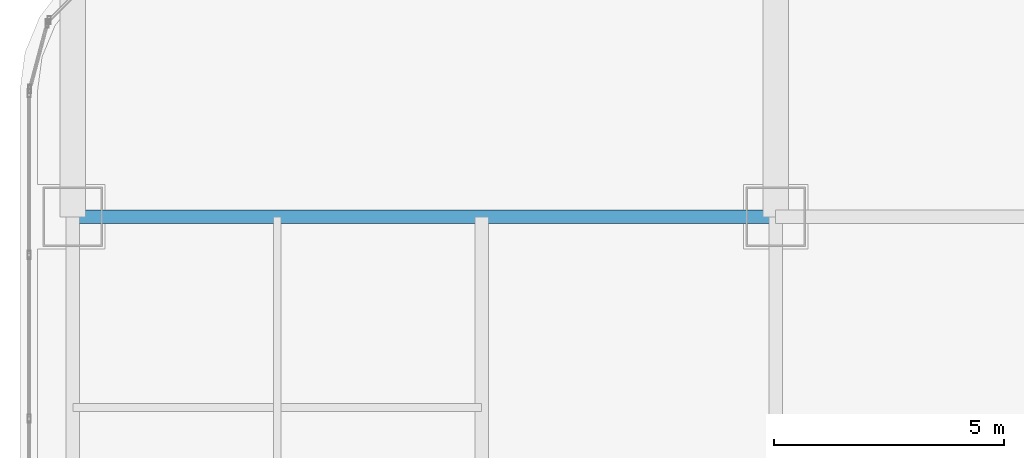
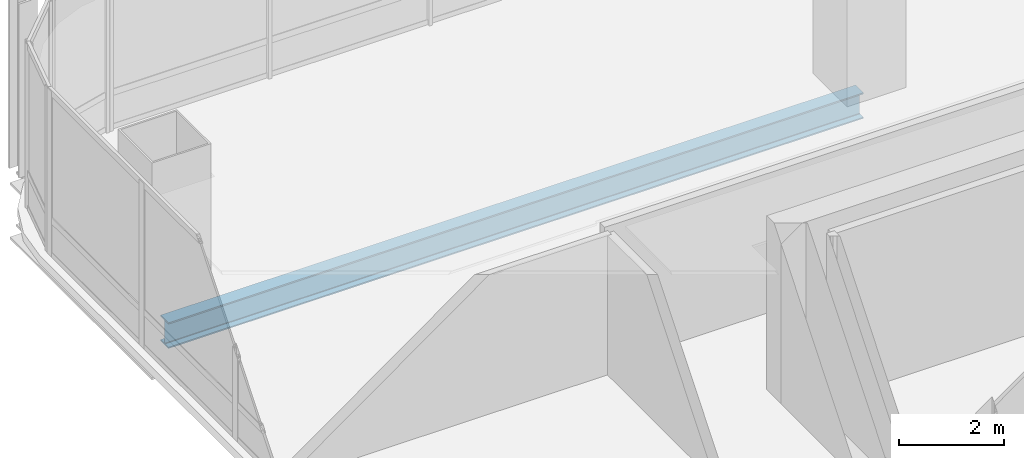
# One storey, part 23 of 39: 1 beam.
"""IFC4 building model written with IfcOpenShell, lengths in metres."""

from ifc_helpers import new_model, si_unit, direction, frame, origin, origin_2d, place, context, subcontext, project, spatial, i_section, extrude, material, material_profile, profile_set, type_object, element, save


model = new_model("IFC4")

# Units and contexts
model_context = context("Model", 3, precision=1e-05, world=origin(), true_north=direction((0.0, 1.0)))
body_context = subcontext(model_context, "Body", "Model", "MODEL_VIEW")
ifc_project = project(units=[si_unit("LENGTHUNIT", "METRE"), si_unit("AREAUNIT", "SQUARE_METRE"), si_unit("VOLUMEUNIT", "CUBIC_METRE"), si_unit("PLANEANGLEUNIT", "RADIAN"), si_unit("MASSUNIT", "GRAM", prefix="KILO")], contexts=[model_context])

# Site, building, storey
site_placement = place(None, origin())
site = spatial("IfcSite", under=ifc_project, at=site_placement, CompositionType="ELEMENT")
building_placement = place(site_placement, origin())
building = spatial("IfcBuilding", under=site, at=building_placement, Name="Punatoya Terracotta Tower", CompositionType="ELEMENT")
storey_placement = place(building_placement, frame((0.0, 0.0, 275.699951171875)))
storey = spatial("IfcBuildingStorey", under=building, at=storey_placement, Name="L65", CompositionType="ELEMENT", Elevation=275.699951171875)

# Beam
ifc_material = material(Name="Steel S355", Category="steel")
ifc_material_profile = material_profile(ifc_material, i_section(OverallWidth=0.300048828125, OverallDepth=0.60009765625, WebThickness=0.015380859375, FlangeThickness=0.030029296875, FilletRadius=0.01806640625, at=origin_2d()))
ifc_profile_set = profile_set([ifc_material_profile], Name="Steel S355")
beam_type = type_object("IfcBeamType", Name="BM-PRI-600", PredefinedType="BEAM", material=ifc_profile_set)
beam_placement = place(storey_placement, frame((-19.10009765625, 17.5, -0.5), z_axis=(1.0, 0.0, 0.0), x_axis=(0.0, 1.0, 0.0)))
element("IfcBeam", 1, at=beam_placement, inside=storey, type_object=beam_type, Name="BM-L65-RG-N1", PredefinedType="BEAM", context=body_context, shape_type="SweptSolid", body=[
    extrude(i_section(OverallWidth=0.300048828125, OverallDepth=0.60009765625, WebThickness=0.015380859375, FlangeThickness=0.030029296875, FilletRadius=0.01806640625, at=origin_2d()), origin(), (0.0, 0.0, 1.0), 15.300048828125),
])

save(model, "model.ifc")
